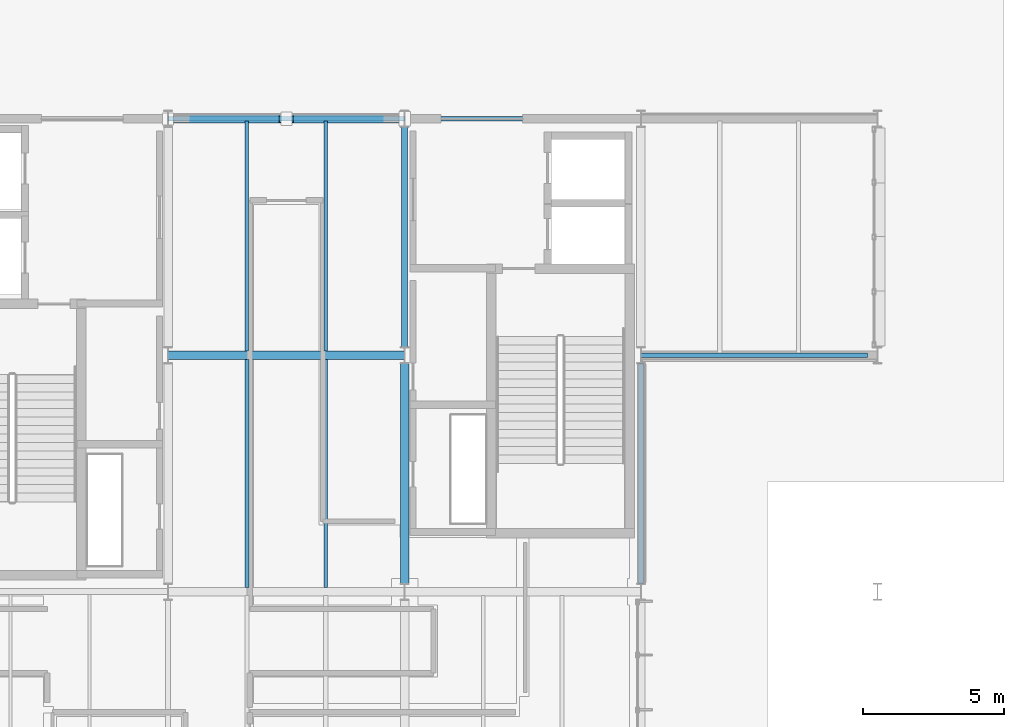
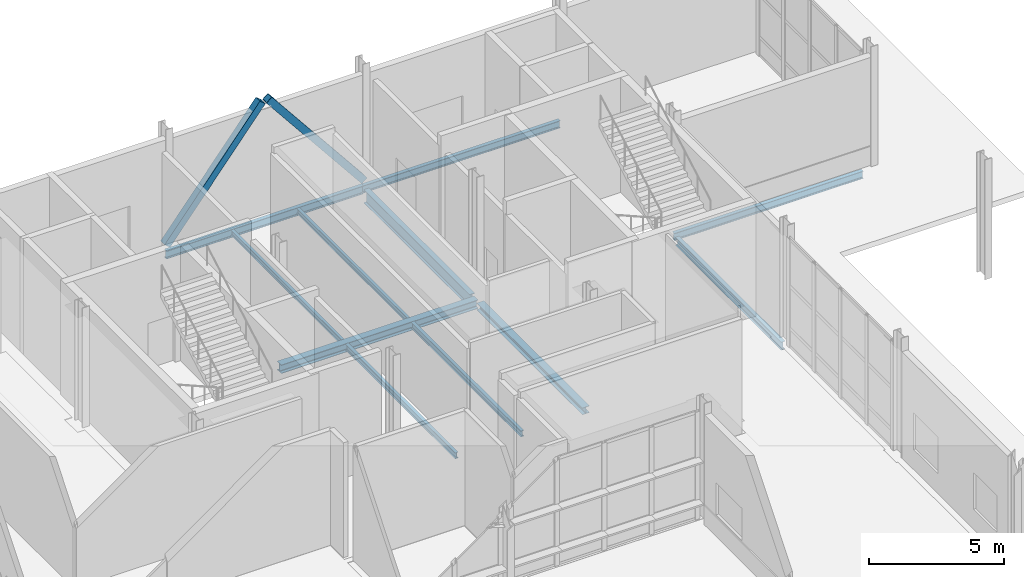
# One storey, part 68 of 124: 11 beams, 2 members.
"""IFC4 building model written with IfcOpenShell, lengths in metres."""

from ifc_helpers import new_model, si_unit, direction, frame, origin, origin_2d, place, context, subcontext, project, spatial, hollow_rectangle, i_section, extrude, material, material_profile, profile_set, type_object, element, save


model = new_model("IFC4")

# Units and contexts
model_context = context("Model", 3, precision=1e-05, world=origin(), true_north=direction((0.0, 1.0)))
body_context = subcontext(model_context, "Body", "Model", "MODEL_VIEW")
ifc_project = project(units=[si_unit("LENGTHUNIT", "METRE"), si_unit("AREAUNIT", "SQUARE_METRE"), si_unit("VOLUMEUNIT", "CUBIC_METRE"), si_unit("PLANEANGLEUNIT", "RADIAN"), si_unit("MASSUNIT", "GRAM", prefix="KILO")], contexts=[model_context])

# Site, building, storey
site_placement = place(None, origin())
site = spatial("IfcSite", under=ifc_project, at=site_placement, CompositionType="ELEMENT")
building_placement = place(site_placement, origin())
building = spatial("IfcBuilding", under=site, at=building_placement, Name="Mersafa Astral City Hall", CompositionType="ELEMENT")
storey_placement = place(building_placement, origin())
storey = spatial("IfcBuildingStorey", under=building, at=storey_placement, Name="L00", CompositionType="ELEMENT", Elevation=0.0)

# Beams
ifc_material = material(Name="Steel S355", Category="steel")
ifc_material_profile_1 = material_profile(ifc_material, i_section(OverallWidth=0.300048828125, OverallDepth=0.31005859375, WebThickness=0.009033203125, FlangeThickness=0.015380859375, FilletRadius=0.027099609375, at=origin_2d()), Name="HEA 320")
ifc_profile_set_1 = profile_set([ifc_material_profile_1], Name="Steel S355")
beam_type_1 = type_object("IfcBeamType", Name="STR-BM-HEA320", PredefinedType="BEAM", material=ifc_profile_set_1)
beam_1_placement = place(storey_placement, frame((168.0, 109.4951171875, -0.405029296875), z_axis=(0.0, 1.0, 0.0), x_axis=(-1.0, 0.0, 0.0)))
element("IfcBeam", 1, at=beam_1_placement, inside=storey, type_object=beam_type_1, Name="L00 Primary girder Y 20-13", PredefinedType="BEAM", context=body_context, shape_type="SweptSolid", body=[
    extrude(i_section(OverallWidth=0.300048828125, OverallDepth=0.31005859375, WebThickness=0.009033203125, FlangeThickness=0.015380859375, FilletRadius=0.027099609375, at=origin_2d()), origin(), (0.0, 0.0, 1.0), 7.809814453125),
])
ifc_material_profile_2 = material_profile(ifc_material, i_section(OverallWidth=0.300048828125, OverallDepth=0.389892578125, WebThickness=0.010986328125, FlangeThickness=0.01904296875, FilletRadius=0.027099609375, at=origin_2d()), Name="HEA 400")
ifc_profile_set_2 = profile_set([ifc_material_profile_2], Name="Steel S355")
beam_type_2 = type_object("IfcBeamType", Name="STR-BM-HEA400", PredefinedType="BEAM", material=ifc_profile_set_2)
beam_2_placement = place(storey_placement, frame((159.60302734375, 117.60009765625, -0.445068359375), z_axis=(1.0, 0.0, 0.0), x_axis=(0.0, 1.0, 0.0)))
element("IfcBeam", 2, at=beam_2_placement, inside=storey, type_object=beam_type_2, Name="L00 Primary girder X 19-14", PredefinedType="BEAM", context=body_context, shape_type="SweptSolid", body=[
    extrude(i_section(OverallWidth=0.300048828125, OverallDepth=0.389892578125, WebThickness=0.010986328125, FlangeThickness=0.01904296875, FilletRadius=0.027099609375, at=origin_2d()), origin(), (0.0, 0.0, 1.0), 8.39404296875),
])
ifc_material_profile_3 = material_profile(ifc_material, i_section(OverallWidth=0.219970703125, OverallDepth=0.60009765625, WebThickness=0.011962890625, FlangeThickness=0.01904296875, FilletRadius=0.02392578125, at=origin_2d()), Name="IPE 600")
ifc_profile_set_3 = profile_set([ifc_material_profile_3], Name="Steel S355")
beam_type_3 = type_object("IfcBeamType", Name="STR-BM-IPE600", PredefinedType="BEAM", material=ifc_profile_set_3)
beam_3_placement = place(storey_placement, frame((168.0, 117.89501953125, -0.550048828125), z_axis=(0.0, 1.0, 0.0), x_axis=(-1.0, 0.0, 0.0)))
element("IfcBeam", 3, at=beam_3_placement, inside=storey, type_object=beam_type_3, Name="L00 Primary girder Y 20-14", PredefinedType="BEAM", context=body_context, shape_type="SweptSolid", body=[
    extrude(i_section(OverallWidth=0.219970703125, OverallDepth=0.60009765625, WebThickness=0.011962890625, FlangeThickness=0.01904296875, FilletRadius=0.02392578125, at=origin_2d()), origin(), (0.0, 0.0, 1.0), 7.81005859375),
])
ifc_material_profile_4 = material_profile(ifc_material, i_section(OverallWidth=0.1201171875, OverallDepth=0.239990234375, WebThickness=0.006103515625, FlangeThickness=0.009765625, FilletRadius=0.014892578125, at=origin_2d()), Name="IPE 240")
ifc_profile_set_4 = profile_set([ifc_material_profile_4], Name="Steel S355")
beam_type_4 = type_object("IfcBeamType", Name="STR-BM-JOIST-IPE240", PredefinedType="JOIST", material=ifc_profile_set_4)
for number, where, z_axis, x_axis, name in (
    (4, (162.39990234375, 117.7451171875, -0.3701171875), (0.0, 1.0, 0.0), (-1.0, 0.0, 0.0), "L00 Composite secondary floor joist 196"),
    (5, (165.199951171875, 117.7451171875, -0.3701171875), (0.0, 1.0, 0.0), (-1.0, 0.0, 0.0), "L00 Composite secondary floor joist 197"),
):
    element("IfcBeam", number, at=place(storey_placement, frame(where, z_axis=z_axis, x_axis=x_axis)), inside=storey, type_object=beam_type_4, Name=name, PredefinedType="JOIST", context=body_context, shape_type="SweptSolid", body=[
        extrude(i_section(OverallWidth=0.1201171875, OverallDepth=0.239990234375, WebThickness=0.006103515625, FlangeThickness=0.009765625, FilletRadius=0.014892578125, at=origin_2d()), origin(), (0.0, 0.0, 1.0), 8.1748046875),
    ])
ifc_material_profile_5 = material_profile(ifc_material, i_section(OverallWidth=0.135009765625, OverallDepth=0.27001953125, WebThickness=0.006591796875, FlangeThickness=0.01025390625, FilletRadius=0.014892578125, at=origin_2d()), Name="IPE 270")
ifc_profile_set_5 = profile_set([ifc_material_profile_5], Name="Steel S355")
beam_type_5 = type_object("IfcBeamType", Name="STR-BM-JOIST-IPE270", PredefinedType="JOIST", material=ifc_profile_set_5)
for number, where, z_axis, x_axis, name in (
    (6, (162.39990234375, 109.344970703125, -0.385009765625), (0.0, 1.0, 0.0), (-1.0, 0.0, 0.0), "L00 Composite secondary floor joist 194"),
    (7, (165.199951171875, 109.344970703125, -0.385009765625), (0.0, 1.0, 0.0), (-1.0, 0.0, 0.0), "L00 Composite secondary floor joist 195"),
):
    element("IfcBeam", number, at=place(storey_placement, frame(where, z_axis=z_axis, x_axis=x_axis)), inside=storey, type_object=beam_type_5, Name=name, PredefinedType="JOIST", context=body_context, shape_type="SweptSolid", body=[
        extrude(i_section(OverallWidth=0.135009765625, OverallDepth=0.27001953125, WebThickness=0.006591796875, FlangeThickness=0.01025390625, FilletRadius=0.014892578125, at=origin_2d()), origin(), (0.0, 0.0, 1.0), 8.110107421875),
    ])
ifc_material_profile_6 = material_profile(ifc_material, i_section(OverallWidth=0.159912109375, OverallDepth=0.330078125, WebThickness=0.007568359375, FlangeThickness=0.011474609375, FilletRadius=0.01806640625, at=origin_2d()), Name="IPE 330")
ifc_profile_set_6 = profile_set([ifc_material_profile_6], Name="Steel S355")
beam_type_6 = type_object("IfcBeamType", Name="STR-BM-SPANDREL-IPE330", PredefinedType="SPANDREL", material=ifc_profile_set_6)
beam_4_placement = place(storey_placement, frame((176.403076171875, 117.60009765625, -0.4150390625), z_axis=(1.0, 0.0, 0.0), x_axis=(0.0, 1.0, 0.0)))
element("IfcBeam", 8, at=beam_4_placement, inside=storey, type_object=beam_type_6, Name="L00 Primary girder X 21-14", PredefinedType="SPANDREL", context=body_context, shape_type="SweptSolid", body=[
    extrude(i_section(OverallWidth=0.159912109375, OverallDepth=0.330078125, WebThickness=0.007568359375, FlangeThickness=0.011474609375, FilletRadius=0.01806640625, at=origin_2d()), origin(), (0.0, 0.0, 1.0), 8.052001953125),
])
beam_5_placement = place(storey_placement, frame((168.0029296875, 126.0, -0.4150390625), z_axis=(1.0, 0.0, 0.0), x_axis=(0.0, 1.0, 0.0)))
element("IfcBeam", 9, at=beam_5_placement, inside=storey, type_object=beam_type_6, Name="L00 Primary girder X 20-15", PredefinedType="SPANDREL", context=body_context, shape_type="SweptSolid", body=[
    extrude(i_section(OverallWidth=0.159912109375, OverallDepth=0.330078125, WebThickness=0.007568359375, FlangeThickness=0.011474609375, FilletRadius=0.01806640625, at=origin_2d()), origin(), (0.0, 0.0, 1.0), 8.39404296875),
])
ifc_material_profile_7 = material_profile(ifc_material, i_section(OverallWidth=0.169921875, OverallDepth=0.360107421875, WebThickness=0.008056640625, FlangeThickness=0.0126953125, FilletRadius=0.01806640625, at=origin_2d()), Name="IPE 360")
ifc_profile_set_7 = profile_set([ifc_material_profile_7], Name="Steel S355")
beam_type_7 = type_object("IfcBeamType", Name="STR-BM-SPANDREL-IPE360", PredefinedType="SPANDREL", material=ifc_profile_set_7)
beam_6_placement = place(storey_placement, frame((159.60302734375, 126.0, -0.429931640625), z_axis=(1.0, 0.0, 0.0), x_axis=(0.0, 1.0, 0.0)))
element("IfcBeam", 10, at=beam_6_placement, inside=storey, type_object=beam_type_7, Name="L00 Primary girder X 19-15", PredefinedType="SPANDREL", context=body_context, shape_type="SweptSolid", body=[
    extrude(i_section(OverallWidth=0.169921875, OverallDepth=0.360107421875, WebThickness=0.008056640625, FlangeThickness=0.0126953125, FilletRadius=0.01806640625, at=origin_2d()), origin(), (0.0, 0.0, 1.0), 8.39404296875),
])
beam_7_placement = place(storey_placement, frame((176.39990234375, 109.4951171875, -0.429931640625), z_axis=(0.0, 1.0, 0.0), x_axis=(-1.0, 0.0, 0.0)))
element("IfcBeam", 11, at=beam_7_placement, inside=storey, type_object=beam_type_7, Name="L00 Primary girder Y 21-13", PredefinedType="SPANDREL", context=body_context, shape_type="SweptSolid", body=[
    extrude(i_section(OverallWidth=0.169921875, OverallDepth=0.360107421875, WebThickness=0.008056640625, FlangeThickness=0.0126953125, FilletRadius=0.01806640625, at=origin_2d()), origin(), (0.0, 0.0, 1.0), 7.809814453125),
])

# Members
ifc_material_profile_8 = material_profile(ifc_material, hollow_rectangle(XDim=0.300048828125, YDim=0.300048828125, WallThickness=0.01611328125, at=origin_2d()), Name="RHS 300x300x16")
ifc_profile_set_8 = profile_set([ifc_material_profile_8], Name="Steel S355")
member_type = type_object("IfcMemberType", Name="STR-MBR-STRUT-RHS300", PredefinedType="BRACE", material=ifc_profile_set_8)
for number, where, z_axis, x_axis, name in (
    (12, (159.597900390625, 126.0, 0.02001953125), (0.626392333836, 0.0, 0.779507949999), (0.0, 1.0, 0.0), "L00 Chevron lateral brace 23A"),
    (13, (168.001953125, 126.0, 0.02001953125), (-0.626392333836, 0.0, 0.779507949999), (0.0, -1.0, 0.0), "L00 Chevron lateral brace 23B"),
):
    element("IfcMember", number, at=place(storey_placement, frame(where, z_axis=z_axis, x_axis=x_axis)), inside=storey, type_object=member_type, Name=name, PredefinedType="BRACE", context=body_context, shape_type="SweptSolid", body=[
        extrude(hollow_rectangle(XDim=0.300048828125, YDim=0.300048828125, WallThickness=0.01611328125, at=origin_2d()), origin(), (0.0, 0.0, 1.0), 6.48486328125),
    ])

save(model, "model.ifc")
